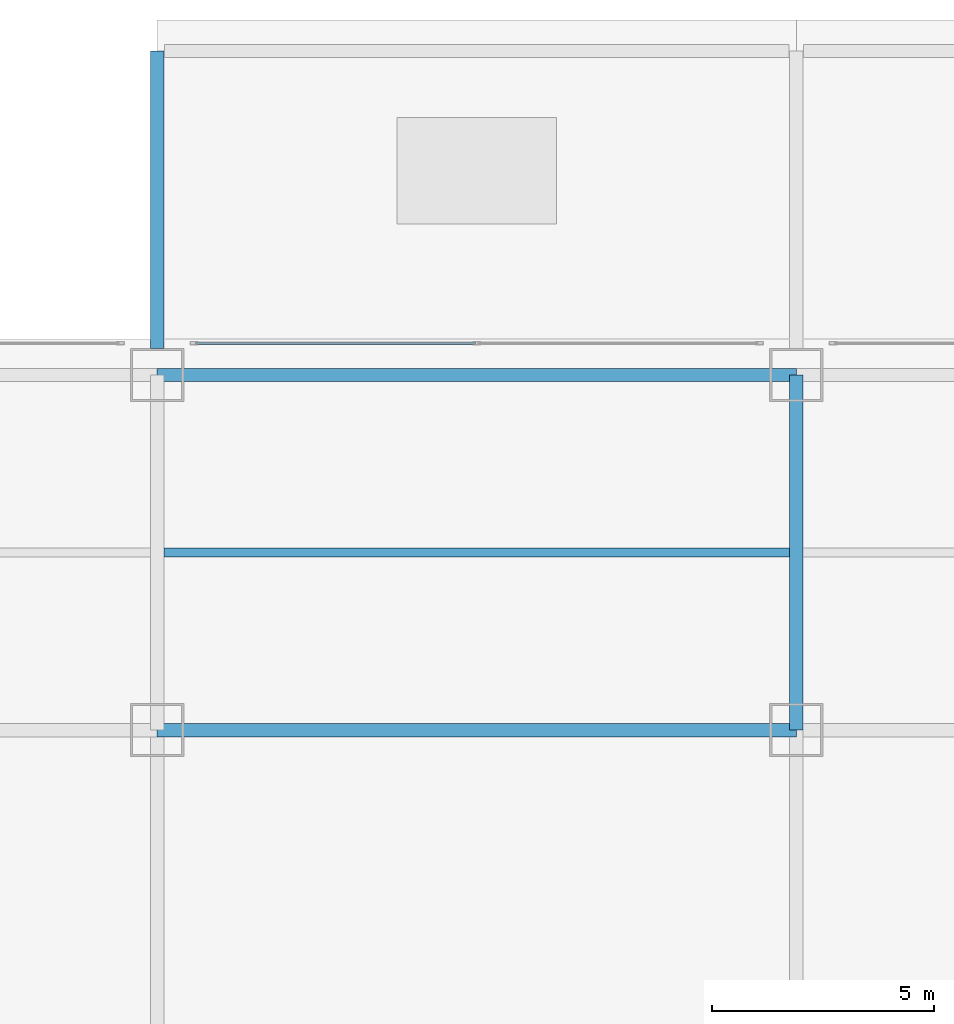
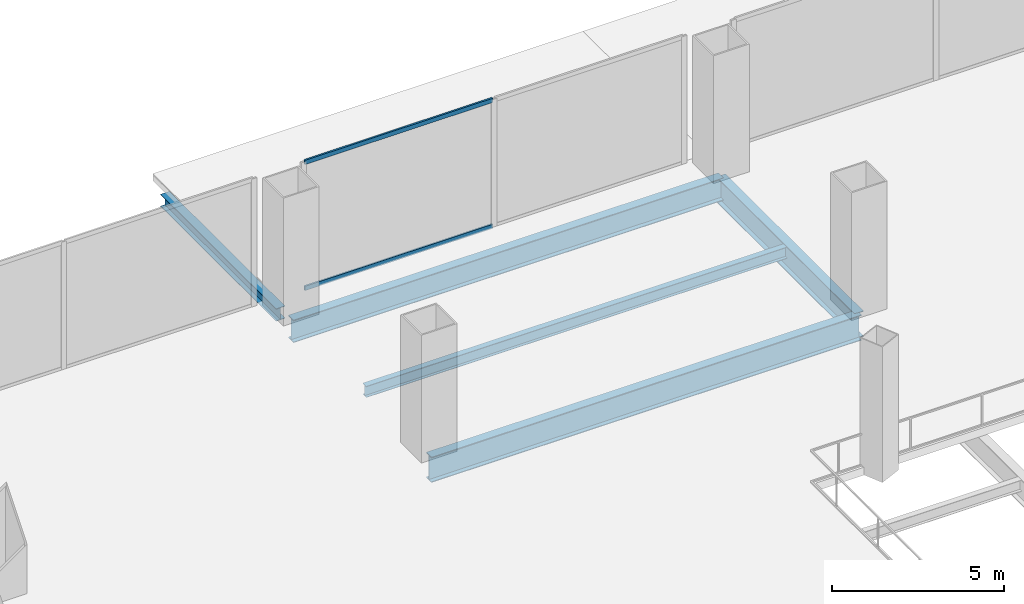
# One storey, part 19 of 42: 5 beams, 2 members, 1 element without a shape of its own.
"""IFC4 building model written with IfcOpenShell, lengths in metres."""

import ifcopenshell
import ifcopenshell.guid

model = None  # the IFC model being written
_history = None  # IfcOwnerHistory: only IFC2X3 demands one
_inside = {}  # id of a spatial element -> (the spatial element, [elements in it])
_under = {}  # id of a project, library or spatial element -> (it, [spatial elements below it])
_declared = {}  # id of a project -> (the project, [libraries it declares])
_typed = {}  # id of a type object -> (the type object, [elements of that type])
_made_of = {}  # id of a material, layer set ... -> (it, [elements and type objects made of it])


def new_model(schema):
    """Start an empty IFC model of exactly this schema.

    Asked for "IFC4X3", IfcOpenShell would pick the latest addendum, in which some entities
    have other attributes; the version numbers below select the first issue.
    IFC2X3 requires an IfcOwnerHistory on every rooted entity: one is made here for all.
    """
    global model, _history
    if schema == "IFC4X3":
        model = ifcopenshell.file(schema_version=(4, 3, 0, 0))
    else:
        model = ifcopenshell.file(schema=schema)
    _inside.clear()
    _under.clear()
    _declared.clear()
    _typed.clear()
    _made_of.clear()
    _history = None
    if model.schema == "IFC2X3":
        org = make("IfcOrganization", Name="unknown")
        user = make(
            "IfcPersonAndOrganization",
            ThePerson=make("IfcPerson", FamilyName="unknown"),
            TheOrganization=org,
        )
        app = make(
            "IfcApplication",
            ApplicationDeveloper=org,
            Version="unknown",
            ApplicationFullName="unknown",
            ApplicationIdentifier="unknown",
        )
        _history = make(
            "IfcOwnerHistory",
            OwningUser=user,
            OwningApplication=app,
            ChangeAction="ADDED",
            CreationDate=0,
        )
    return model


def make(cls, **values):
    """One entity of the class cls with the attributes given. An attribute that is None is left unset."""
    return model.create_entity(
        cls, **{name: value for name, value in values.items() if value is not None}
    )


def rooted(cls, **values):
    """An entity with a GlobalId (a new one), such as an element, a storey or a relation."""
    return make(cls, GlobalId=ifcopenshell.guid.new(), OwnerHistory=_history, **values)


def si_unit(unit_type, name, prefix=None):
    """IfcSIUnit, for example si_unit("LENGTHUNIT", "METRE", prefix="MILLI")."""
    return make("IfcSIUnit", UnitType=unit_type, Prefix=prefix, Name=name)


def assignment(units):
    """IfcUnitAssignment: the units of a project."""
    return None if units is None else make("IfcUnitAssignment", Units=units)


def point(xyz):
    """IfcCartesianPoint."""
    return None if xyz is None else make("IfcCartesianPoint", Coordinates=xyz)


def direction(xyz):
    """IfcDirection."""
    return None if xyz is None else make("IfcDirection", DirectionRatios=xyz)


def frame(location, z_axis=None, x_axis=None):
    """IfcAxis2Placement3D, a coordinate frame: its origin and axes. An axis left out is left unset."""
    return make(
        "IfcAxis2Placement3D",
        Location=point(location),
        Axis=direction(z_axis),
        RefDirection=direction(x_axis),
    )


def frame_2d(location, x_axis=None):
    """IfcAxis2Placement2D, a coordinate frame in the plane: its origin and x axis."""
    return make(
        "IfcAxis2Placement2D", Location=point(location), RefDirection=direction(x_axis)
    )


def origin():
    """The frame at (0, 0, 0) with its axes left unset."""
    return frame((0.0, 0.0, 0.0))


def origin_2d():
    """The frame at (0, 0) in the plane with its x axis left unset."""
    return frame_2d((0.0, 0.0))


def place(relative_to, where):
    """IfcLocalPlacement: puts the frame where relative to a parent placement (None: the world)."""
    return make(
        "IfcLocalPlacement", PlacementRelTo=relative_to, RelativePlacement=where
    )


def context(
    kind, dimensions, precision=None, world=None, true_north=None, identifier=None
):
    """IfcGeometricRepresentationContext, for example the 3D "Model" context."""
    return make(
        "IfcGeometricRepresentationContext",
        ContextIdentifier=identifier,
        ContextType=kind,
        CoordinateSpaceDimension=dimensions,
        Precision=precision,
        WorldCoordinateSystem=world,
        TrueNorth=true_north,
    )


def subcontext(parent, identifier, kind, view, scale=None):
    """IfcGeometricRepresentationSubContext, for example "Body" below "Model"."""
    return make(
        "IfcGeometricRepresentationSubContext",
        ContextIdentifier=identifier,
        ContextType=kind,
        ParentContext=parent,
        TargetScale=scale,
        TargetView=view,
    )


def project(units=None, contexts=None):
    """IfcProject with its units and contexts."""
    return rooted(
        "IfcProject",
        Name="project",
        RepresentationContexts=contexts,
        UnitsInContext=assignment(units),
    )


def spatial(cls, under=None, at=None, **own):
    """A site, building, storey or space (cls), placed at a placement, below another one or the project."""
    s = rooted(cls, ObjectPlacement=at, **own)
    if under is not None:
        _under.setdefault(under.id(), (under, []))[1].append(s)
    return s


def profile(cls, at=None, kind="AREA", **sizes):
    """A parametric profile (cls). Its sizes go by their IFC names, for example OverallWidth=200.0."""
    return make(cls, ProfileType=kind, Position=at, **sizes)


def hollow_rectangle(**sizes):
    """IfcRectangleHollowProfileDef."""
    return profile("IfcRectangleHollowProfileDef", **sizes)


def i_section(**sizes):
    """IfcIShapeProfileDef."""
    return profile("IfcIShapeProfileDef", **sizes)


def extrude(swept, where, along, depth):
    """IfcExtrudedAreaSolid: the profile swept, set in the frame where, extruded along a direction by depth."""
    return make(
        "IfcExtrudedAreaSolid",
        SweptArea=swept,
        Position=where,
        ExtrudedDirection=direction(along),
        Depth=depth,
    )


def shape(context_of_items, identifier, shape_type, items):
    """IfcShapeRepresentation: the items that make up one representation, for example the "Body"."""
    return make(
        "IfcShapeRepresentation",
        ContextOfItems=context_of_items,
        RepresentationIdentifier=identifier,
        RepresentationType=shape_type,
        Items=items,
    )


def source(mapping_origin, context_of_items, identifier, shape_type, items):
    """IfcRepresentationMap: a shape defined once, which mapped items show again and again."""
    return make(
        "IfcRepresentationMap",
        MappingOrigin=mapping_origin,
        MappedRepresentation=shape(context_of_items, identifier, shape_type, items),
    )


def transform(
    local_origin,
    x_axis=None,
    y_axis=None,
    z_axis=None,
    scale=None,
    scale2=None,
    scale3=None,
    uniform=True,
):
    """IfcCartesianTransformationOperator3D, or its non-uniform kind. x_axis, y_axis, z_axis: its Axis1, 2, 3."""
    if uniform:
        return make(
            "IfcCartesianTransformationOperator3D",
            Axis1=direction(x_axis),
            Axis2=direction(y_axis),
            LocalOrigin=point(local_origin),
            Scale=scale,
            Axis3=direction(z_axis),
        )
    return make(
        "IfcCartesianTransformationOperator3DnonUniform",
        Axis1=direction(x_axis),
        Axis2=direction(y_axis),
        LocalOrigin=point(local_origin),
        Scale=scale,
        Axis3=direction(z_axis),
        Scale2=scale2,
        Scale3=scale3,
    )


def mapped(mapping_source, mapping_target):
    """IfcMappedItem: shows the shape of a source again, moved by a transform."""
    return make(
        "IfcMappedItem", MappingSource=mapping_source, MappingTarget=mapping_target
    )


def material(Name=None, Category=None):
    """IfcMaterial."""
    return make("IfcMaterial", Name=Name, Category=Category)


def layer(
    of_material, thickness, ventilated=None, Name=None, Category=None, Priority=None
):
    """IfcMaterialLayer: one layer of a wall or slab, of a material (None: an air gap)."""
    return make(
        "IfcMaterialLayer",
        Material=of_material,
        LayerThickness=thickness,
        IsVentilated=ventilated,
        Name=Name,
        Category=Category,
        Priority=Priority,
    )


def layer_set(layers, Name=None):
    """IfcMaterialLayerSet."""
    return make("IfcMaterialLayerSet", MaterialLayers=layers, LayerSetName=Name)


def material_profile(
    of_material, cross_section, Name=None, Category=None, Priority=None
):
    """IfcMaterialProfile: a cross section and its material."""
    return make(
        "IfcMaterialProfile",
        Name=Name,
        Material=of_material,
        Profile=cross_section,
        Priority=Priority,
        Category=Category,
    )


def profile_set(profiles, Name=None, composite=None):
    """IfcMaterialProfileSet."""
    return make(
        "IfcMaterialProfileSet",
        Name=Name,
        MaterialProfiles=profiles,
        CompositeProfile=composite,
    )


def made_of(thing, what):
    """Note that an element or type object is made of a material, layer set ...; save() writes the relation."""
    if what is not None:
        _made_of.setdefault(what.id(), (what, []))[1].append(thing)
    return thing


def type_object(cls, material=None, **own):
    """A type object (cls), such as IfcWallType, which elements share."""
    return made_of(rooted(cls, **own), material)


def element(
    cls,
    number,
    at=None,
    inside=None,
    cuts=None,
    type_object=None,
    material=None,
    context=None,
    identifier="Body",
    shape_type=None,
    held_by="IfcProductDefinitionShape",
    body=None,
    shapes=None,
    **own,
):
    """One element of the class cls, such as IfcWall. Its Tag is "e" and its number.

    at: its placement. inside: the storey or other place that contains it. cuts: it is an
    opening in that element (IfcRelVoidsElement). A single representation is given by context,
    identifier, shape_type and body (its items); several are given by shapes. held_by: the class
    of the entity that holds the representations. save() writes the other relations.
    """
    e = rooted(cls, Tag="e%d" % number, ObjectPlacement=at, **own)
    if body is not None:
        shapes = [shape(context, identifier, shape_type, body)]
    if shapes is not None:
        e.Representation = make(held_by, Representations=shapes)
    if inside is not None:
        _inside.setdefault(inside.id(), (inside, []))[1].append(e)
    if cuts is not None:
        rooted(
            "IfcRelVoidsElement", RelatingBuildingElement=cuts, RelatedOpeningElement=e
        )
    if type_object is not None:
        _typed.setdefault(type_object.id(), (type_object, []))[1].append(e)
    return made_of(e, material)


def aggregate(whole, parts):
    """IfcRelAggregates: a whole, such as a stair, and the parts it consists of."""
    return rooted("IfcRelAggregates", RelatingObject=whole, RelatedObjects=parts)


def save(model, path):
    """Write the relations noted so far, then the file.

    IfcRelAggregates (storeys below a building ...), IfcRelContainedInSpatialStructure (elements
    in a storey), IfcRelDefinesByType, IfcRelAssociatesMaterial and IfcRelDeclares: one each for
    every whole, place, type object, material and project.
    """
    for whole, parts in _under.values():
        aggregate(whole, parts)
    for where, things in _inside.values():
        rooted(
            "IfcRelContainedInSpatialStructure",
            RelatedElements=things,
            RelatingStructure=where,
        )
    for kind, things in _typed.values():
        rooted("IfcRelDefinesByType", RelatedObjects=things, RelatingType=kind)
    for what, things in _made_of.values():
        rooted("IfcRelAssociatesMaterial", RelatedObjects=things, RelatingMaterial=what)
    for by, libraries in _declared.values():
        rooted("IfcRelDeclares", RelatingContext=by, RelatedDefinitions=libraries)
    model.write(path)


model = new_model("IFC4")

# Units and contexts
model_context = context("Model", 3, precision=1e-05, world=origin(), true_north=direction((0.0, 1.0)))
body_context = subcontext(model_context, "Body", "Model", "MODEL_VIEW")
ifc_project = project(units=[si_unit("LENGTHUNIT", "METRE"), si_unit("AREAUNIT", "SQUARE_METRE"), si_unit("VOLUMEUNIT", "CUBIC_METRE"), si_unit("PLANEANGLEUNIT", "RADIAN"), si_unit("MASSUNIT", "GRAM", prefix="KILO"), si_unit("THERMODYNAMICTEMPERATUREUNIT", "KELVIN"), si_unit("POWERUNIT", "WATT")], contexts=[model_context])

# Site, building, storey
site_placement = place(None, origin())
site = spatial("IfcSite", under=ifc_project, at=site_placement, CompositionType="ELEMENT")
building_placement = place(site_placement, origin())
building = spatial("IfcBuilding", under=site, at=building_placement, Name="Yunzhuo Pagoda Commons", CompositionType="ELEMENT")
storey_placement = place(building_placement, frame((0.0, 0.0, 4.800048828125)))
storey = spatial("IfcBuildingStorey", under=building, at=storey_placement, Name="L02", CompositionType="ELEMENT", Elevation=4.800048828125)

# Beams
ifc_material_1 = material(Name="Structural steel Q355B", Category="steel")
ifc_material_profile_1 = material_profile(ifc_material_1, i_section(OverallWidth=0.300048828125, OverallDepth=0.800048828125, WebThickness=0.013916015625, FlangeThickness=0.02587890625, at=origin_2d()), Name="Structural steel Q355B")
ifc_profile_set_1 = profile_set([ifc_material_profile_1], Name="Structural steel Q355B")
beam_type_1 = type_object("IfcBeamType", Name="B-PD2 Beam HN 800x300x14x26", PredefinedType="BEAM", material=ifc_profile_set_1)
shared_shape_1 = source(origin(), body_context, "Body", "SweptSolid", [
    extrude(i_section(OverallWidth=0.300048828125, OverallDepth=0.800048828125, WebThickness=0.013916015625, FlangeThickness=0.02587890625, at=origin_2d()), origin(), (0.0, 0.0, 1.0), 14.400146484375),
])
beam_1_placement = place(storey_placement, frame((19.199951171875, 89.199951171875, -0.679931640625), z_axis=(1.0, 0.0, 0.0), x_axis=(0.0, 1.0, 0.0)))
element("IfcBeam", 1, at=beam_1_placement, inside=storey, type_object=beam_type_1, Name="L02 podium girder EW 6.2", PredefinedType="BEAM", context=body_context, shape_type="MappedRepresentation", body=[
    mapped(shared_shape_1, transform((0.0, 0.0, 0.0), scale=1.0)),
])
ifc_material_profile_2 = material_profile(ifc_material_1, i_section(OverallWidth=0.300048828125, OverallDepth=0.89990234375, WebThickness=0.01611328125, FlangeThickness=0.028076171875, at=origin_2d()), Name="Structural steel Q355B")
ifc_profile_set_2 = profile_set([ifc_material_profile_2], Name="Structural steel Q355B")
beam_type_2 = type_object("IfcBeamType", Name="B-PD1 Beam HN 900x300x16x28", PredefinedType="BEAM", material=ifc_profile_set_2)
shared_shape_2 = source(origin(), body_context, "Body", "SweptSolid", [
    extrude(i_section(OverallWidth=0.300048828125, OverallDepth=0.89990234375, WebThickness=0.01611328125, FlangeThickness=0.028076171875, at=origin_2d()), origin(), (0.0, 0.0, 1.0), 14.400146484375),
])
beam_2_placement = place(storey_placement, frame((19.199951171875, 81.199951171875, -0.72998046875), z_axis=(1.0, 0.0, 0.0), x_axis=(0.0, 1.0, 0.0)))
element("IfcBeam", 2, at=beam_2_placement, inside=storey, type_object=beam_type_2, Name="L02 podium girder EW 5.2", PredefinedType="BEAM", context=body_context, shape_type="MappedRepresentation", body=[
    mapped(shared_shape_2, transform((0.0, 0.0, 0.0), scale=1.0)),
])
ifc_material_profile_3 = material_profile(ifc_material_1, i_section(OverallWidth=0.199951171875, OverallDepth=0.39990234375, WebThickness=0.008056640625, FlangeThickness=0.012939453125, at=origin_2d()), Name="Structural steel Q355B")
ifc_profile_set_3 = profile_set([ifc_material_profile_3], Name="Structural steel Q355B")
beam_type_3 = type_object("IfcBeamType", Name="B-JS1 Joist HN 400x200x8x13", PredefinedType="JOIST", material=ifc_profile_set_3)
shared_shape_3 = source(origin(), body_context, "Body", "SweptSolid", [
    extrude(i_section(OverallWidth=0.199951171875, OverallDepth=0.39990234375, WebThickness=0.008056640625, FlangeThickness=0.012939453125, at=origin_2d()), origin(), (0.0, 0.0, 1.0), 14.08984375),
])
beam_3_placement = place(storey_placement, frame((19.355224609375, 85.199951171875, -0.47998046875), z_axis=(1.0, 0.0, 0.0), x_axis=(0.0, 1.0, 0.0)))
element("IfcBeam", 3, at=beam_3_placement, inside=storey, type_object=beam_type_3, Name="L02 podium composite joist 2.5", PredefinedType="JOIST", context=body_context, shape_type="MappedRepresentation", body=[
    mapped(shared_shape_3, transform((0.0, 0.0, 0.0), scale=1.0)),
])
shared_shape_4 = source(origin(), body_context, "Body", "SweptSolid", [
    extrude(i_section(OverallWidth=0.300048828125, OverallDepth=0.89990234375, WebThickness=0.01611328125, FlangeThickness=0.028076171875, at=origin_2d()), origin(), (0.0, 0.0, 1.0), 8.0),
])
beam_4_placement = place(storey_placement, frame((33.60009765625, 81.199951171875, -0.72998046875), z_axis=(0.0, 1.0, 0.0), x_axis=(-1.0, 0.0, 0.0)))
element("IfcBeam", 4, at=beam_4_placement, inside=storey, type_object=beam_type_2, Name="L02 podium girder NS 3.5", PredefinedType="BEAM", context=body_context, shape_type="MappedRepresentation", body=[
    mapped(shared_shape_4, transform((0.0, 0.0, 0.0), scale=1.0)),
])
ifc_material_profile_4 = material_profile(ifc_material_1, i_section(OverallWidth=0.300048828125, OverallDepth=0.43994140625, WebThickness=0.010986328125, FlangeThickness=0.01806640625, at=origin_2d()), Name="Structural steel Q355B")
ifc_profile_set_4 = profile_set([ifc_material_profile_4], Name="Structural steel Q355B")
beam_type_4 = type_object("IfcBeamType", Name="B-SP2 Beam HM 440x300x11x18", PredefinedType="BEAM", material=ifc_profile_set_4)
shared_shape_5 = source(origin(), body_context, "Body", "SweptSolid", [
    extrude(i_section(OverallWidth=0.300048828125, OverallDepth=0.43994140625, WebThickness=0.010986328125, FlangeThickness=0.01806640625, at=origin_2d()), origin(), (0.0, 0.0, 1.0), 6.699951171875),
])
beam_5_placement = place(storey_placement, frame((19.199951171875, 89.800048828125, -0.5), z_axis=(0.0, 1.0, 0.0), x_axis=(-1.0, 0.0, 0.0)))
element("IfcBeam", 5, at=beam_5_placement, inside=storey, type_object=beam_type_4, Name="North canopy girder 1", PredefinedType="BEAM", context=body_context, shape_type="MappedRepresentation", body=[
    mapped(shared_shape_5, transform((0.0, 0.0, 0.0), scale=1.0)),
])

# Curtain wall, members
ifc_material_2 = material(Name="Anodized aluminium 6063-T6", Category="aluminium")
ifc_layer = layer(ifc_material_2, 0.179931640625)
ifc_layer_set = layer_set([ifc_layer], Name="Anodized aluminium 6063-T6")
curtain_wall_type = type_object("IfcCurtainWallType", Name="CW-POD Waterfront Podium Curtain Wall", PredefinedType="NOTDEFINED", material=ifc_layer_set)
curtain_wall_placement = place(storey_placement, origin())
curtain_wall = element("IfcCurtainWall", 6, at=curtain_wall_placement, inside=storey, type_object=curtain_wall_type, Name="L02 curtain wall CW-L02-N2", PredefinedType="NOTDEFINED")
ifc_material_profile_5 = material_profile(ifc_material_2, hollow_rectangle(XDim=0.06005859375, YDim=0.14990234375, WallThickness=0.00390625, at=origin_2d()), Name="Anodized aluminium 6063-T6")
ifc_profile_set_5 = profile_set([ifc_material_profile_5], Name="Anodized aluminium 6063-T6")
member_type = type_object("IfcMemberType", Name="CW-POD-T Transom RHS 150x60x4", PredefinedType="USERDEFINED", material=ifc_profile_set_5)
shared_shape_6 = source(origin(), body_context, "Body", "SweptSolid", [
    extrude(hollow_rectangle(XDim=0.06005859375, YDim=0.14990234375, WallThickness=0.00390625, at=origin_2d()), origin(), (0.0, 0.0, 1.0), 6.302490234375),
])
member_1_placement = place(storey_placement, frame((20.06494140625, 89.919921875, 0.030029296875), z_axis=(1.0, 0.0, 0.0), x_axis=(0.0, 1.0, 0.0)))
member_1 = element("IfcMember", 7, at=member_1_placement, type_object=member_type, Name="CW transom 1.1", ObjectType="TRANSOM", PredefinedType="USERDEFINED", context=body_context, shape_type="MappedRepresentation", body=[
    mapped(shared_shape_6, transform((0.0, 0.0, 0.0), scale=1.0)),
])
member_2_placement = place(storey_placement, frame((20.06494140625, 89.919921875, 4.489990234375), z_axis=(1.0, 0.0, 0.0), x_axis=(0.0, 1.0, 0.0)))
member_2 = element("IfcMember", 8, at=member_2_placement, type_object=member_type, Name="CW transom 1.2", ObjectType="TRANSOM", PredefinedType="USERDEFINED", context=body_context, shape_type="MappedRepresentation", body=[
    mapped(shared_shape_6, transform((0.0, 0.0, 0.0), scale=1.0)),
])
aggregate(curtain_wall, [member_1, member_2])

save(model, "model.ifc")
